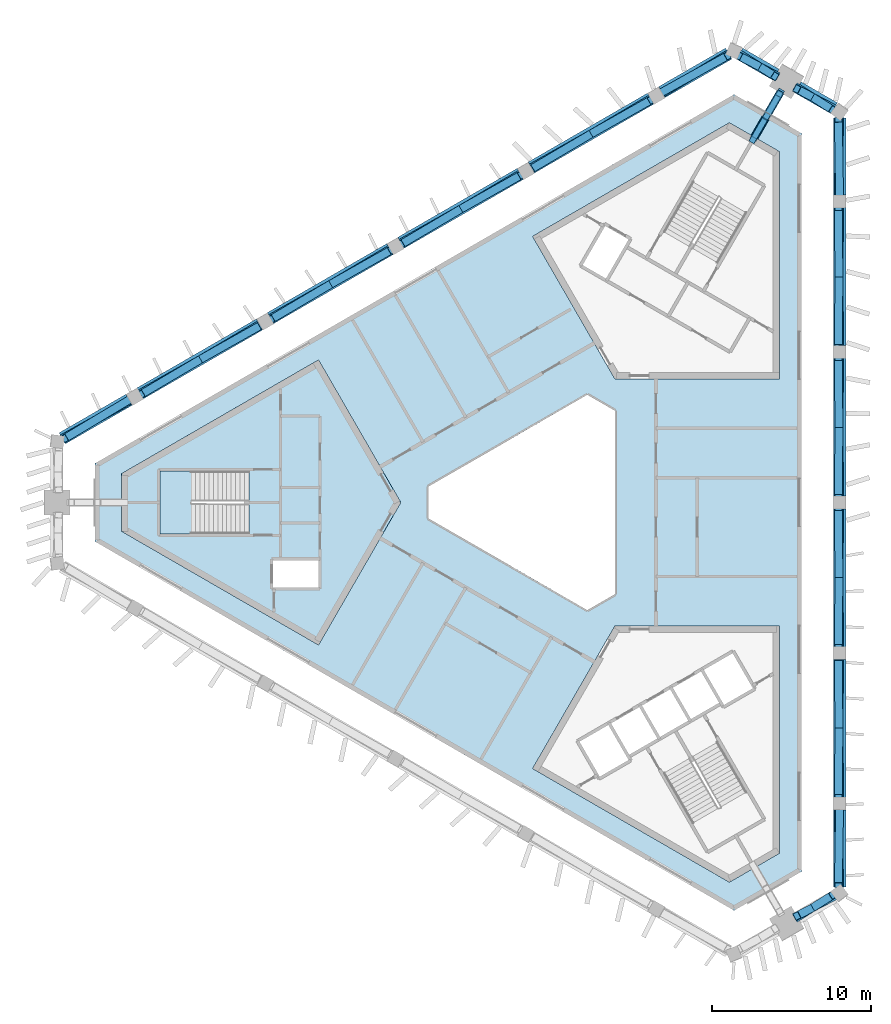
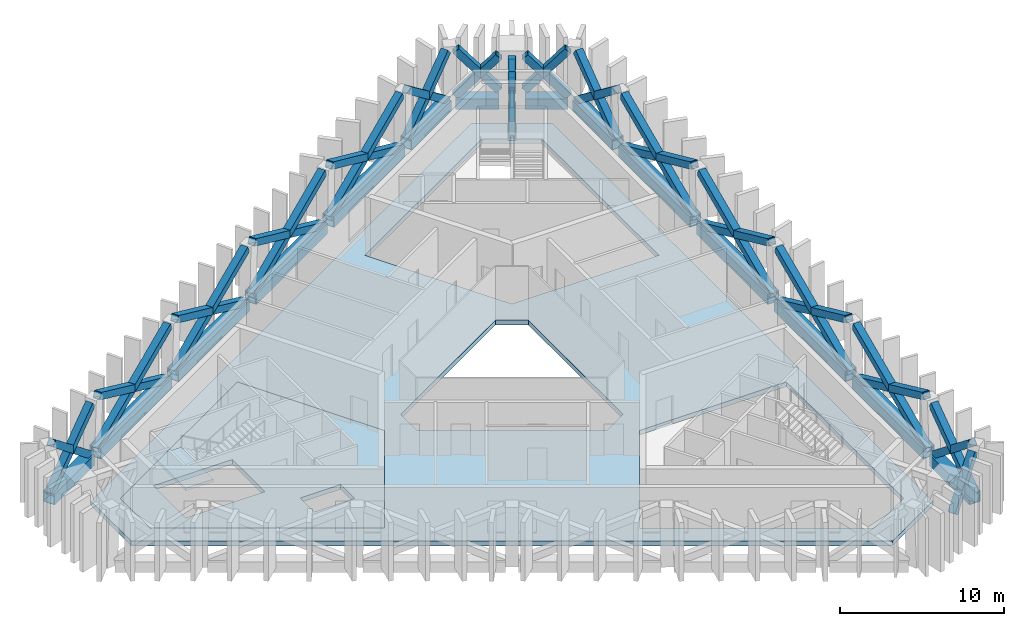
# One storey, part 2 of 8: 52 members, 3 slabs, 1 element without a shape of its own.
"""IFC4 building model written with IfcOpenShell, lengths in metres."""

from ifc_helpers import new_model, si_unit, direction, frame, origin, origin_2d, place, context, subcontext, project, spatial, polyline, hollow_rectangle, outline, extrude, material, layer, layer_set, material_profile, profile_set, type_object, element, aggregate, save


model = new_model("IFC4")

# Units and contexts
model_context = context("Model", 3, precision=1e-05, world=origin(), true_north=direction((0.0, 1.0)))
body_context = subcontext(model_context, "Body", "Model", "MODEL_VIEW")
ifc_project = project(units=[si_unit("LENGTHUNIT", "METRE"), si_unit("AREAUNIT", "SQUARE_METRE"), si_unit("VOLUMEUNIT", "CUBIC_METRE"), si_unit("PLANEANGLEUNIT", "RADIAN"), si_unit("MASSUNIT", "GRAM", prefix="KILO")], contexts=[model_context])

# Site, building, storey
site_placement = place(None, origin())
site = spatial("IfcSite", under=ifc_project, at=site_placement, CompositionType="ELEMENT")
building_placement = place(site_placement, origin())
building = spatial("IfcBuilding", under=site, at=building_placement, Name="Jabali Bay Hotel Tower and Convention Centre", CompositionType="ELEMENT")
storey_placement = place(building_placement, frame((0.0, 0.0, 296.0)))
storey = spatial("IfcBuildingStorey", under=building, at=storey_placement, Name="L73", CompositionType="ELEMENT", Elevation=296.0)

# Members
ifc_material_1 = material(Name="Steel Q420GJC", Category="steel")
ifc_material_profile_1 = material_profile(ifc_material_1, hollow_rectangle(XDim=0.5, YDim=0.5, WallThickness=0.030029296875, at=origin_2d()), Name="Belt brace 500x500x30")
ifc_profile_set_1 = profile_set([ifc_material_profile_1], Name="Steel Q420GJC")
member_type_1 = type_object("IfcMemberType", Name="Belt brace 500x500x30", PredefinedType="BRACE", material=ifc_profile_set_1)
member_1_placement = place(storey_placement, frame((89.641845703125, 106.959228515625, 0.91796875), z_axis=(-0.581816957991, 0.305216451487, 0.753877937823), x_axis=(-0.464550555432, -0.885546600382, 0.0)))
element("IfcMember", 1, at=member_1_placement, inside=storey, type_object=member_type_1, Name="Belt brace T6 M1-V2 x1", PredefinedType="BRACE", context=body_context, shape_type="SweptSolid", body=[
    extrude(hollow_rectangle(XDim=0.5, YDim=0.5, WallThickness=0.030029296875, at=origin_2d()), origin(), (0.0, 0.0, 1.0), 4.009765625),
])
member_2_placement = place(storey_placement, frame((87.35888671875, 108.2958984375, 0.45751953125), z_axis=(0.556390560743, -0.351826280828, 0.752760129148), x_axis=(0.534450860417, 0.8451995491, 0.0)))
element("IfcMember", 2, at=member_2_placement, inside=storey, type_object=member_type_1, Name="Belt brace T6 M1-V2 x2", PredefinedType="BRACE", context=body_context, shape_type="SweptSolid", body=[
    extrude(hollow_rectangle(XDim=0.5, YDim=0.5, WallThickness=0.030029296875, at=origin_2d()), origin(), (0.0, 0.0, 1.0), 4.02197265625),
])
member_3_placement = place(storey_placement, frame((86.677490234375, 108.304443359375, 0.305908203125), z_axis=(-0.681689367342, -0.407737239188, 0.607494814984), x_axis=(0.513313739054, -0.858201028488, 0.0)))
element("IfcMember", 3, at=member_3_placement, inside=storey, type_object=member_type_1, Name="Belt brace T6 V2-F1.1 x1", PredefinedType="BRACE", context=body_context, shape_type="SweptSolid", body=[
    extrude(hollow_rectangle(XDim=0.5, YDim=0.5, WallThickness=0.030029296875, at=origin_2d()), origin(), (0.0, 0.0, 1.0), 6.235595703125),
])
member_4_placement = place(storey_placement, frame((82.4697265625, 105.874755859375, 0.318115234375), z_axis=(0.683960232051, 0.380381708934, 0.622501531308), x_axis=(-0.486037155402, 0.873938146306, 0.0)))
element("IfcMember", 4, at=member_4_placement, inside=storey, type_object=member_type_1, Name="Belt brace T6 V2-F1.1 x2", PredefinedType="BRACE", context=body_context, shape_type="SweptSolid", body=[
    extrude(hollow_rectangle(XDim=0.5, YDim=0.5, WallThickness=0.030029296875, at=origin_2d()), origin(), (0.0, 0.0, 1.0), 6.046142578125),
])
member_5_placement = place(storey_placement, frame((81.775634765625, 105.47705078125, 0.184326171875), z_axis=(-0.782302694928, -0.461419725704, 0.418442744278), x_axis=(0.508035443651, -0.861336164337, 0.0)))
element("IfcMember", 5, at=member_5_placement, inside=storey, type_object=member_type_1, Name="Belt brace T6 F1.1-F1.2 x1", PredefinedType="BRACE", context=body_context, shape_type="SweptSolid", body=[
    extrude(hollow_rectangle(XDim=0.5, YDim=0.5, WallThickness=0.030029296875, at=origin_2d()), origin(), (0.0, 0.0, 1.0), 9.634521484375),
])
member_6_placement = place(storey_placement, frame((74.238525390625, 101.12548828125, 0.18701171875), z_axis=(0.788736553773, 0.445510544801, 0.42357408232), x_axis=(-0.491808693929, 0.87070328389, 0.0)))
element("IfcMember", 6, at=member_6_placement, inside=storey, type_object=member_type_1, Name="Belt brace T6 F1.1-F1.2 x2", PredefinedType="BRACE", context=body_context, shape_type="SweptSolid", body=[
    extrude(hollow_rectangle(XDim=0.5, YDim=0.5, WallThickness=0.030029296875, at=origin_2d()), origin(), (0.0, 0.0, 1.0), 9.504638671875),
])
member_7_placement = place(storey_placement, frame((73.545654296875, 100.7255859375, 0.185302734375), z_axis=(-0.781610594153, -0.461060141076, 0.42012905805), x_axis=(0.508075202316, -0.861312712545, 0.0)))
element("IfcMember", 7, at=member_7_placement, inside=storey, type_object=member_type_1, Name="Belt brace T6 F1.2-F1.3 x1", PredefinedType="BRACE", context=body_context, shape_type="SweptSolid", body=[
    extrude(hollow_rectangle(XDim=0.5, YDim=0.5, WallThickness=0.030029296875, at=origin_2d()), origin(), (0.0, 0.0, 1.0), 9.59130859375),
])
for number, where, z_axis, x_axis, name in (
    (8, (66.00830078125, 96.373779296875, 0.18603515625), (0.789417899762, 0.445938139211, 0.42185134293), (-0.491844433366, 0.870683095832, 0.0), "Belt brace T6 F1.2-F1.3 x2"),
    (9, (65.315673828125, 95.973876953125, 0.18603515625), (-0.780901057459, -0.460690712254, 0.421850217615), (0.508115389897, -0.861289005242, 0.0), "Belt brace T6 F1.3-F1.4 x1"),
):
    element("IfcMember", number, at=place(storey_placement, frame(where, z_axis=z_axis, x_axis=x_axis)), inside=storey, type_object=member_type_1, Name=name, PredefinedType="BRACE", context=body_context, shape_type="SweptSolid", body=[
        extrude(hollow_rectangle(XDim=0.5, YDim=0.5, WallThickness=0.030029296875, at=origin_2d()), origin(), (0.0, 0.0, 1.0), 9.548095703125),
    ])
member_8_placement = place(storey_placement, frame((57.7783203125, 91.622314453125, 0.185302734375), z_axis=(0.790089140846, 0.44637401894, 0.420130199738), x_axis=(-0.491891798651, 0.870656337724, 0.0)))
element("IfcMember", 10, at=member_8_placement, inside=storey, type_object=member_type_1, Name="Belt brace T6 F1.3-F1.4 x2", PredefinedType="BRACE", context=body_context, shape_type="SweptSolid", body=[
    extrude(hollow_rectangle(XDim=0.5, YDim=0.5, WallThickness=0.030029296875, at=origin_2d()), origin(), (0.0, 0.0, 1.0), 9.591064453125),
])
member_9_placement = place(storey_placement, frame((57.085693359375, 91.22216796875, 0.18701171875), z_axis=(-0.780199937753, -0.460301010224, 0.423569400591), x_axis=(0.508134979565, -0.861277448064, 0.0)))
element("IfcMember", 11, at=member_9_placement, inside=storey, type_object=member_type_1, Name="Belt brace T6 F1.4-F1.5 x1", PredefinedType="BRACE", context=body_context, shape_type="SweptSolid", body=[
    extrude(hollow_rectangle(XDim=0.5, YDim=0.5, WallThickness=0.030029296875, at=origin_2d()), origin(), (0.0, 0.0, 1.0), 9.504638671875),
])
member_10_placement = place(storey_placement, frame((49.54833984375, 86.87060546875, 0.184326171875), z_axis=(0.790752664738, 0.446790712833, 0.418435517298), x_axis=(-0.491926706334, 0.870636615124, 0.0)))
element("IfcMember", 12, at=member_10_placement, inside=storey, type_object=member_type_1, Name="Belt brace T6 F1.4-F1.5 x2", PredefinedType="BRACE", context=body_context, shape_type="SweptSolid", body=[
    extrude(hollow_rectangle(XDim=0.5, YDim=0.5, WallThickness=0.030029296875, at=origin_2d()), origin(), (0.0, 0.0, 1.0), 9.634765625),
])
member_11_placement = place(storey_placement, frame((48.85693359375, 86.46826171875, 0.318115234375), z_axis=(-0.671398388347, -0.402144496876, 0.622498198999), x_axis=(0.513843070707, -0.857884198879, 0.0)))
element("IfcMember", 13, at=member_11_placement, inside=storey, type_object=member_type_1, Name="Belt brace T6 F1.5-V3 x1", PredefinedType="BRACE", context=body_context, shape_type="SweptSolid", body=[
    extrude(hollow_rectangle(XDim=0.5, YDim=0.5, WallThickness=0.030029296875, at=origin_2d()), origin(), (0.0, 0.0, 1.0), 6.046142578125),
])
member_12_placement = place(storey_placement, frame((44.64892578125, 84.0390625, 0.305908203125), z_axis=(0.693963297755, 0.386505256724, 0.60747726533), x_axis=(-0.486575880664, 0.87363831896, 0.0)))
element("IfcMember", 14, at=member_12_placement, inside=storey, type_object=member_type_1, Name="Belt brace T6 F1.5-V3 x2", PredefinedType="BRACE", context=body_context, shape_type="SweptSolid", body=[
    extrude(hollow_rectangle(XDim=0.5, YDim=0.5, WallThickness=0.030029296875, at=origin_2d()), origin(), (0.0, 0.0, 1.0), 6.23583984375),
])
member_13_placement = place(storey_placement, frame((91.0263671875, 53.840087890625, 0.91796875), z_axis=(0.555262400019, 0.351239998433, 0.753866122482), x_axis=(-0.534589039241, 0.845112157718, 0.0)))
element("IfcMember", 15, at=member_13_placement, inside=storey, type_object=member_type_1, Name="Belt brace T6 M2-V0 x1", PredefinedType="BRACE", context=body_context, shape_type="SweptSolid", body=[
    extrude(hollow_rectangle(XDim=0.5, YDim=0.5, WallThickness=0.030029296875, at=origin_2d()), origin(), (0.0, 0.0, 1.0), 4.010009765625),
])
member_14_placement = place(storey_placement, frame((93.325439453125, 55.14892578125, 0.45751953125), z_axis=(-0.582866288871, -0.305941063936, 0.752772844021), x_axis=(0.464757993641, -0.885437748996, 0.0)))
element("IfcMember", 16, at=member_14_placement, inside=storey, type_object=member_type_1, Name="Belt brace T6 M2-V0 x2", PredefinedType="BRACE", context=body_context, shape_type="SweptSolid", body=[
    extrude(hollow_rectangle(XDim=0.5, YDim=0.5, WallThickness=0.030029296875, at=origin_2d()), origin(), (0.0, 0.0, 1.0), 4.02197265625),
])
member_15_placement = place(storey_placement, frame((93.673583984375, 55.73486328125, 0.305908203125), z_axis=(-0.012254586773, 0.794238170235, 0.607482966054), x_axis=(-0.999880988672, -0.015427523881, 0.0)))
element("IfcMember", 17, at=member_15_placement, inside=storey, type_object=member_type_1, Name="Belt brace T6 V0-F0.1 x1", PredefinedType="BRACE", context=body_context, shape_type="SweptSolid", body=[
    extrude(hollow_rectangle(XDim=0.5, YDim=0.5, WallThickness=0.030029296875, at=origin_2d()), origin(), (0.0, 0.0, 1.0), 6.235595703125),
])
member_16_placement = place(storey_placement, frame((93.67333984375, 60.593505859375, 0.318115234375), z_axis=(-0.012558542857, -0.78250624914, 0.622516066506), x_axis=(0.999871237621, -0.016047061353, 0.0)))
element("IfcMember", 18, at=member_16_placement, inside=storey, type_object=member_type_1, Name="Belt brace T6 V0-F0.1 x2", PredefinedType="BRACE", context=body_context, shape_type="SweptSolid", body=[
    extrude(hollow_rectangle(XDim=0.5, YDim=0.5, WallThickness=0.030029296875, at=origin_2d()), origin(), (0.0, 0.0, 1.0), 6.0458984375),
])
member_17_placement = place(storey_placement, frame((93.676025390625, 61.3935546875, 0.184326171875), z_axis=(-0.008438178386, 0.908206461054, 0.418437356418), x_axis=(-0.999956841125, -0.009290634416, 0.0)))
element("IfcMember", 19, at=member_17_placement, inside=storey, type_object=member_type_1, Name="Belt brace T6 F0.1-F0.2 x1", PredefinedType="BRACE", context=body_context, shape_type="SweptSolid", body=[
    extrude(hollow_rectangle(XDim=0.5, YDim=0.5, WallThickness=0.030029296875, at=origin_2d()), origin(), (0.0, 0.0, 1.0), 9.634521484375),
])
member_18_placement = place(storey_placement, frame((93.676025390625, 70.0966796875, 0.18701171875), z_axis=(-0.008553713555, -0.905820284642, 0.423575785326), x_axis=(0.999955417309, -0.009442637079, 0.0)))
element("IfcMember", 20, at=member_18_placement, inside=storey, type_object=member_type_1, Name="Belt brace T6 F0.1-F0.2 x2", PredefinedType="BRACE", context=body_context, shape_type="SweptSolid", body=[
    extrude(hollow_rectangle(XDim=0.5, YDim=0.5, WallThickness=0.030029296875, at=origin_2d()), origin(), (0.0, 0.0, 1.0), 9.50439453125),
])
member_19_placement = place(storey_placement, frame((93.676025390625, 70.896728515625, 0.185302734375), z_axis=(-0.008476336813, 0.907426219337, 0.420125943229), x_axis=(-0.999956375009, -0.009340667982, 0.0)))
element("IfcMember", 21, at=member_19_placement, inside=storey, type_object=member_type_1, Name="Belt brace T6 F0.2-F0.3 x1", PredefinedType="BRACE", context=body_context, shape_type="SweptSolid", body=[
    extrude(hollow_rectangle(XDim=0.5, YDim=0.5, WallThickness=0.030029296875, at=origin_2d()), origin(), (0.0, 0.0, 1.0), 9.59130859375),
])
for number, where, z_axis, x_axis, name in (
    (22, (93.676025390625, 79.60009765625, 0.18603515625), (-0.0085147202, -0.906625928359, 0.421849411007), (0.999955901302, -0.009391243341, 0.0), "Belt brace T6 F0.2-F0.3 x2"),
    (23, (93.676025390625, 80.39990234375, 0.18603515625), (-0.0085147202, 0.906625928359, 0.421849411007), (-0.999955901302, -0.009391243341, 0.0), "Belt brace T6 F0.3-F0.4 x1"),
):
    element("IfcMember", number, at=place(storey_placement, frame(where, z_axis=z_axis, x_axis=x_axis)), inside=storey, type_object=member_type_1, Name=name, PredefinedType="BRACE", context=body_context, shape_type="SweptSolid", body=[
        extrude(hollow_rectangle(XDim=0.5, YDim=0.5, WallThickness=0.030029296875, at=origin_2d()), origin(), (0.0, 0.0, 1.0), 9.548095703125),
    ])
member_20_placement = place(storey_placement, frame((93.676025390625, 89.103271484375, 0.185302734375), z_axis=(-0.008476336813, -0.907426219337, 0.420125943229), x_axis=(0.999956375009, -0.009340667982, 0.0)))
element("IfcMember", 24, at=member_20_placement, inside=storey, type_object=member_type_1, Name="Belt brace T6 F0.3-F0.4 x2", PredefinedType="BRACE", context=body_context, shape_type="SweptSolid", body=[
    extrude(hollow_rectangle(XDim=0.5, YDim=0.5, WallThickness=0.030029296875, at=origin_2d()), origin(), (0.0, 0.0, 1.0), 9.59130859375),
])
member_21_placement = place(storey_placement, frame((93.676025390625, 89.9033203125, 0.18701171875), z_axis=(-0.008553713555, 0.905820284642, 0.423575785326), x_axis=(-0.999955417309, -0.009442637079, 0.0)))
element("IfcMember", 25, at=member_21_placement, inside=storey, type_object=member_type_1, Name="Belt brace T6 F0.4-F0.5 x1", PredefinedType="BRACE", context=body_context, shape_type="SweptSolid", body=[
    extrude(hollow_rectangle(XDim=0.5, YDim=0.5, WallThickness=0.030029296875, at=origin_2d()), origin(), (0.0, 0.0, 1.0), 9.50439453125),
])
member_22_placement = place(storey_placement, frame((93.676025390625, 98.6064453125, 0.184326171875), z_axis=(-0.008438178386, -0.908206461054, 0.418437356418), x_axis=(0.999956841125, -0.009290634416, 0.0)))
element("IfcMember", 26, at=member_22_placement, inside=storey, type_object=member_type_1, Name="Belt brace T6 F0.4-F0.5 x2", PredefinedType="BRACE", context=body_context, shape_type="SweptSolid", body=[
    extrude(hollow_rectangle(XDim=0.5, YDim=0.5, WallThickness=0.030029296875, at=origin_2d()), origin(), (0.0, 0.0, 1.0), 9.634521484375),
])
member_23_placement = place(storey_placement, frame((93.67333984375, 99.406494140625, 0.318115234375), z_axis=(-0.012558542857, 0.78250624914, 0.622516066506), x_axis=(-0.999871237621, -0.016047061353, 0.0)))
element("IfcMember", 27, at=member_23_placement, inside=storey, type_object=member_type_1, Name="Belt brace T6 F0.5-V1 x1", PredefinedType="BRACE", context=body_context, shape_type="SweptSolid", body=[
    extrude(hollow_rectangle(XDim=0.5, YDim=0.5, WallThickness=0.030029296875, at=origin_2d()), origin(), (0.0, 0.0, 1.0), 6.0458984375),
])
member_24_placement = place(storey_placement, frame((93.673583984375, 104.26513671875, 0.305908203125), z_axis=(-0.012254586773, -0.794238170235, 0.607482966054), x_axis=(0.999880988672, -0.015427523881, 0.0)))
element("IfcMember", 28, at=member_24_placement, inside=storey, type_object=member_type_1, Name="Belt brace T6 F0.5-V1 x2", PredefinedType="BRACE", context=body_context, shape_type="SweptSolid", body=[
    extrude(hollow_rectangle(XDim=0.5, YDim=0.5, WallThickness=0.030029296875, at=origin_2d()), origin(), (0.0, 0.0, 1.0), 6.235595703125),
])
member_25_placement = place(storey_placement, frame((93.325439453125, 104.85107421875, 0.45751953125), z_axis=(-0.582866288871, 0.305941063936, 0.752772844021), x_axis=(-0.464757993641, -0.885437748996, 0.0)))
element("IfcMember", 29, at=member_25_placement, inside=storey, type_object=member_type_1, Name="Belt brace T6 V1-M1 x1", PredefinedType="BRACE", context=body_context, shape_type="SweptSolid", body=[
    extrude(hollow_rectangle(XDim=0.5, YDim=0.5, WallThickness=0.030029296875, at=origin_2d()), origin(), (0.0, 0.0, 1.0), 4.02197265625),
])
member_26_placement = place(storey_placement, frame((91.0263671875, 106.159912109375, 0.91796875), z_axis=(0.555262400019, -0.351239998433, 0.753866122482), x_axis=(0.534589039241, 0.845112157718, 0.0)))
element("IfcMember", 30, at=member_26_placement, inside=storey, type_object=member_type_1, Name="Belt brace T6 V1-M1 x2", PredefinedType="BRACE", context=body_context, shape_type="SweptSolid", body=[
    extrude(hollow_rectangle(XDim=0.5, YDim=0.5, WallThickness=0.030029296875, at=origin_2d()), origin(), (0.0, 0.0, 1.0), 4.010009765625),
])
ifc_material_profile_2 = material_profile(ifc_material_1, hollow_rectangle(XDim=0.800048828125, YDim=0.800048828125, WallThickness=0.0400390625, at=origin_2d()), Name="Belt chord 800x800x40")
ifc_profile_set_2 = profile_set([ifc_material_profile_2], Name="Steel Q420GJC")
member_type_2 = type_object("IfcMemberType", Name="Belt chord 800x800x40", PredefinedType="CHORD", material=ifc_profile_set_2)
member_27_placement = place(storey_placement, frame((89.657470703125, 106.987548828125, 0.0), z_axis=(-0.866030315638, 0.499991492324, 0.0), x_axis=(-0.499991492324, -0.866030315638, 0.0)))
element("IfcMember", 31, at=member_27_placement, inside=storey, type_object=member_type_2, Name="Belt chord T6 M1-V2", PredefinedType="CHORD", context=body_context, shape_type="SweptSolid", body=[
    extrude(hollow_rectangle(XDim=0.800048828125, YDim=0.800048828125, WallThickness=0.0400390625, at=origin_2d()), origin(), (0.0, 0.0, 1.0), 2.64453125),
])
member_28_placement = place(storey_placement, frame((86.67431640625, 108.309814453125, 0.0), z_axis=(-0.86601739438, -0.500013872438, 0.0), x_axis=(0.500013872438, -0.86601739438, 0.0)))
element("IfcMember", 32, at=member_28_placement, inside=storey, type_object=member_type_2, Name="Belt chord T6 V2-F1.1", PredefinedType="CHORD", context=body_context, shape_type="SweptSolid", body=[
    extrude(hollow_rectangle(XDim=0.800048828125, YDim=0.800048828125, WallThickness=0.0400390625, at=origin_2d()), origin(), (0.0, 0.0, 1.0), 4.858642578125),
])
member_29_placement = place(storey_placement, frame((81.77392578125, 105.48046875, 0.0), z_axis=(-0.866019753935, -0.500009785699, 0.0), x_axis=(0.500009785699, -0.866019753935, 0.0)))
element("IfcMember", 33, at=member_29_placement, inside=storey, type_object=member_type_2, Name="Belt chord T6 F1.1-F1.2", PredefinedType="CHORD", context=body_context, shape_type="SweptSolid", body=[
    extrude(hollow_rectangle(XDim=0.800048828125, YDim=0.800048828125, WallThickness=0.0400390625, at=origin_2d()), origin(), (0.0, 0.0, 1.0), 8.703369140625),
])
member_30_placement = place(storey_placement, frame((73.543701171875, 100.728759765625, 0.0), z_axis=(-0.866024887666, -0.500000893942, 0.0), x_axis=(0.500000893942, -0.866024887666, 0.0)))
element("IfcMember", 34, at=member_30_placement, inside=storey, type_object=member_type_2, Name="Belt chord T6 F1.2-F1.3", PredefinedType="CHORD", context=body_context, shape_type="SweptSolid", body=[
    extrude(hollow_rectangle(XDim=0.800048828125, YDim=0.800048828125, WallThickness=0.0400390625, at=origin_2d()), origin(), (0.0, 0.0, 1.0), 8.703125),
])
for number, where, z_axis, x_axis, name in (
    (35, (65.313720703125, 95.97705078125, 0.0), (-0.866031900465, -0.499988747251, 0.0), (0.499988747251, -0.866031900465, 0.0), "Belt chord T6 F1.3-F1.4"),
    (36, (57.083740234375, 91.2255859375, 0.0), (-0.866019753935, -0.500009785699, 0.0), (0.500009785699, -0.866019753935, 0.0), "Belt chord T6 F1.4-F1.5"),
):
    element("IfcMember", number, at=place(storey_placement, frame(where, z_axis=z_axis, x_axis=x_axis)), inside=storey, type_object=member_type_2, Name=name, PredefinedType="CHORD", context=body_context, shape_type="SweptSolid", body=[
        extrude(hollow_rectangle(XDim=0.800048828125, YDim=0.800048828125, WallThickness=0.0400390625, at=origin_2d()), origin(), (0.0, 0.0, 1.0), 8.703369140625),
    ])
for number, where, z_axis, x_axis, name in (
    (37, (48.853515625, 86.473876953125, 0.0), (-0.86601739438, -0.500013872438, 0.0), (0.500013872438, -0.86601739438, 0.0), "Belt chord T6 F1.5-V3"),
    (38, (93.6796875, 55.73486328125, 0.0), (0.0, 1.0, 0.0), (-1.0, 0.0, 0.0), "Belt chord T6 V0-F0.1"),
):
    element("IfcMember", number, at=place(storey_placement, frame(where, z_axis=z_axis, x_axis=x_axis)), inside=storey, type_object=member_type_2, Name=name, PredefinedType="CHORD", context=body_context, shape_type="SweptSolid", body=[
        extrude(hollow_rectangle(XDim=0.800048828125, YDim=0.800048828125, WallThickness=0.0400390625, at=origin_2d()), origin(), (0.0, 0.0, 1.0), 4.858642578125),
    ])
member_31_placement = place(storey_placement, frame((93.6796875, 61.3935546875, 0.0), z_axis=(0.0, 1.0, 0.0), x_axis=(-1.0, 0.0, 0.0)))
element("IfcMember", 39, at=member_31_placement, inside=storey, type_object=member_type_2, Name="Belt chord T6 F0.1-F0.2", PredefinedType="CHORD", context=body_context, shape_type="SweptSolid", body=[
    extrude(hollow_rectangle(XDim=0.800048828125, YDim=0.800048828125, WallThickness=0.0400390625, at=origin_2d()), origin(), (0.0, 0.0, 1.0), 8.703125),
])
for number, where, z_axis, x_axis, name in (
    (40, (93.6796875, 70.896728515625, 0.0), (0.0, 1.0, 0.0), (-1.0, 0.0, 0.0), "Belt chord T6 F0.2-F0.3"),
    (41, (93.6796875, 80.39990234375, 0.0), (0.0, 1.0, 0.0), (-1.0, 0.0, 0.0), "Belt chord T6 F0.3-F0.4"),
):
    element("IfcMember", number, at=place(storey_placement, frame(where, z_axis=z_axis, x_axis=x_axis)), inside=storey, type_object=member_type_2, Name=name, PredefinedType="CHORD", context=body_context, shape_type="SweptSolid", body=[
        extrude(hollow_rectangle(XDim=0.800048828125, YDim=0.800048828125, WallThickness=0.0400390625, at=origin_2d()), origin(), (0.0, 0.0, 1.0), 8.703369140625),
    ])
member_32_placement = place(storey_placement, frame((93.6796875, 89.9033203125, 0.0), z_axis=(0.0, 1.0, 0.0), x_axis=(-1.0, 0.0, 0.0)))
element("IfcMember", 42, at=member_32_placement, inside=storey, type_object=member_type_2, Name="Belt chord T6 F0.4-F0.5", PredefinedType="CHORD", context=body_context, shape_type="SweptSolid", body=[
    extrude(hollow_rectangle(XDim=0.800048828125, YDim=0.800048828125, WallThickness=0.0400390625, at=origin_2d()), origin(), (0.0, 0.0, 1.0), 8.703125),
])
member_33_placement = place(storey_placement, frame((93.6796875, 99.406494140625, 0.0), z_axis=(0.0, 1.0, 0.0), x_axis=(-1.0, 0.0, 0.0)))
element("IfcMember", 43, at=member_33_placement, inside=storey, type_object=member_type_2, Name="Belt chord T6 F0.5-V1", PredefinedType="CHORD", context=body_context, shape_type="SweptSolid", body=[
    extrude(hollow_rectangle(XDim=0.800048828125, YDim=0.800048828125, WallThickness=0.0400390625, at=origin_2d()), origin(), (0.0, 0.0, 1.0), 4.858642578125),
])
member_34_placement = place(storey_placement, frame((93.333251953125, 104.865234375, 0.0), z_axis=(-0.866007234284, 0.500031469177, 0.0), x_axis=(-0.500031469177, -0.866007234284, 0.0)))
element("IfcMember", 44, at=member_34_placement, inside=storey, type_object=member_type_2, Name="Belt chord T6 V1-M1", PredefinedType="CHORD", context=body_context, shape_type="SweptSolid", body=[
    extrude(hollow_rectangle(XDim=0.800048828125, YDim=0.800048828125, WallThickness=0.0400390625, at=origin_2d()), origin(), (0.0, 0.0, 1.0), 2.644287109375),
])
ifc_material_profile_3 = material_profile(ifc_material_1, hollow_rectangle(XDim=0.39990234375, YDim=0.39990234375, WallThickness=0.011962890625, InnerFilletRadius=0.01806640625, OuterFilletRadius=0.030029296875, at=origin_2d()), Name="Outrigger brace 400x400x12")
ifc_profile_set_3 = profile_set([ifc_material_profile_3], Name="Steel Q420GJC")
member_type_3 = type_object("IfcMemberType", Name="Outrigger brace 400x400x12", PredefinedType="BRACE", material=ifc_profile_set_3)
member_35_placement = place(storey_placement, frame((88.20166015625, 102.86572265625, 0.25), z_axis=(0.216637557809, 0.375249443576, 0.901252474972), x_axis=(-0.866038204628, 0.499977827634, 0.0)))
element("IfcMember", 45, at=member_35_placement, inside=storey, type_object=member_type_3, Name="Outrigger brace T6 2.1x1", PredefinedType="BRACE", context=body_context, shape_type="SweptSolid", body=[
    extrude(hollow_rectangle(XDim=0.39990234375, YDim=0.39990234375, WallThickness=0.011962890625, InnerFilletRadius=0.01806640625, OuterFilletRadius=0.030029296875, at=origin_2d()), origin(), (0.0, 0.0, 1.0), 3.883544921875),
])
member_36_placement = place(storey_placement, frame((89.07373046875, 104.37646484375, 0.25), z_axis=(-0.223001255391, -0.386319084088, 0.895001678972), x_axis=(0.866064397679, -0.49993245451, 0.0)))
element("IfcMember", 46, at=member_36_placement, inside=storey, type_object=member_type_3, Name="Outrigger brace T6 2.1x2", PredefinedType="BRACE", context=body_context, shape_type="SweptSolid", body=[
    extrude(hollow_rectangle(XDim=0.39990234375, YDim=0.39990234375, WallThickness=0.011962890625, InnerFilletRadius=0.01806640625, OuterFilletRadius=0.030029296875, at=origin_2d()), origin(), (0.0, 0.0, 1.0), 3.91064453125),
])
member_37_placement = place(storey_placement, frame((89.07373046875, 104.37646484375, 0.25), z_axis=(0.210140978826, 0.363948984413, 0.907403937485), x_axis=(-0.866010015463, 0.500026652407, 0.0)))
element("IfcMember", 47, at=member_37_placement, inside=storey, type_object=member_type_3, Name="Outrigger brace T6 2.2x1", PredefinedType="BRACE", context=body_context, shape_type="SweptSolid", body=[
    extrude(hollow_rectangle(XDim=0.39990234375, YDim=0.39990234375, WallThickness=0.011962890625, InnerFilletRadius=0.01806640625, OuterFilletRadius=0.030029296875, at=origin_2d()), origin(), (0.0, 0.0, 1.0), 3.857177734375),
])
member_38_placement = place(storey_placement, frame((89.94580078125, 105.886962890625, 0.25), z_axis=(-0.229237559398, -0.397105409818, 0.8886829777), x_axis=(0.866055013668, -0.499948710669, 0.0)))
element("IfcMember", 48, at=member_38_placement, inside=storey, type_object=member_type_3, Name="Outrigger brace T6 2.2x2", PredefinedType="BRACE", context=body_context, shape_type="SweptSolid", body=[
    extrude(hollow_rectangle(XDim=0.39990234375, YDim=0.39990234375, WallThickness=0.011962890625, InnerFilletRadius=0.01806640625, OuterFilletRadius=0.030029296875, at=origin_2d()), origin(), (0.0, 0.0, 1.0), 3.9384765625),
])
ifc_material_profile_4 = material_profile(ifc_material_1, hollow_rectangle(XDim=0.5, YDim=0.5, WallThickness=0.01611328125, InnerFilletRadius=0.02392578125, OuterFilletRadius=0.0400390625, at=origin_2d()), Name="Outrigger chord 500x500x16")
ifc_profile_set_4 = profile_set([ifc_material_profile_4], Name="Steel Q420GJC")
member_type_4 = type_object("IfcMemberType", Name="Outrigger chord 500x500x16", PredefinedType="CHORD", material=ifc_profile_set_4)
member_39_placement = place(storey_placement, frame((88.20166015625, 102.86572265625, 0.25), z_axis=(0.49993245451, 0.866064397679, 0.0), x_axis=(-0.866064397679, 0.49993245451, 0.0)))
element("IfcMember", 49, at=member_39_placement, inside=storey, type_object=member_type_4, Name="Outrigger chord T6 2.lo1", PredefinedType="CHORD", context=body_context, shape_type="SweptSolid", body=[
    extrude(hollow_rectangle(XDim=0.5, YDim=0.5, WallThickness=0.01611328125, InnerFilletRadius=0.02392578125, OuterFilletRadius=0.0400390625, at=origin_2d()), origin(), (0.0, 0.0, 1.0), 1.744384765625),
])
member_40_placement = place(storey_placement, frame((89.07373046875, 104.37646484375, 0.25), z_axis=(0.499993059066, 0.866029411098, 0.0), x_axis=(-0.866029411098, 0.499993059066, 0.0)))
element("IfcMember", 50, at=member_40_placement, inside=storey, type_object=member_type_4, Name="Outrigger chord T6 2.lo2", PredefinedType="CHORD", context=body_context, shape_type="SweptSolid", body=[
    extrude(hollow_rectangle(XDim=0.5, YDim=0.5, WallThickness=0.01611328125, InnerFilletRadius=0.02392578125, OuterFilletRadius=0.0400390625, at=origin_2d()), origin(), (0.0, 0.0, 1.0), 1.744140625),
])
for number, where, z_axis, x_axis, name in (
    (51, (88.20166015625, 102.86572265625, 3.75), (0.499977827634, 0.866038204628, 0.0), (-0.866038204628, 0.499977827634, 0.0), "Outrigger chord T6 2.hi1"),
    (52, (89.04296875, 104.322998046875, 3.75), (0.499977827634, 0.866038204628, 0.0), (-0.866038204628, 0.499977827634, 0.0), "Outrigger chord T6 2.hi2"),
):
    element("IfcMember", number, at=place(storey_placement, frame(where, z_axis=z_axis, x_axis=x_axis)), inside=storey, type_object=member_type_4, Name=name, PredefinedType="CHORD", context=body_context, shape_type="SweptSolid", body=[
        extrude(hollow_rectangle(XDim=0.5, YDim=0.5, WallThickness=0.01611328125, InnerFilletRadius=0.02392578125, OuterFilletRadius=0.0400390625, at=origin_2d()), origin(), (0.0, 0.0, 1.0), 1.6826171875),
    ])

# Slabs
ifc_material_2 = material(Name="Concrete C40", Category="concrete")
ifc_layer_1 = layer(ifc_material_2, 0.35009765625)
ifc_layer_set_1 = layer_set([ifc_layer_1], Name="Concrete C40")
slab_type_1 = type_object("IfcSlabType", Name="Core floor slab 350", PredefinedType="FLOOR", material=ifc_layer_set_1)
slab_1_placement = place(storey_placement, frame((0.0, 0.0, -0.35009765625)))
element("IfcSlab", 53, at=slab_1_placement, inside=storey, type_object=slab_type_1, Name="Core floor slab 1 L73", PredefinedType="FLOOR", context=body_context, shape_type="SweptSolid", body=[
    extrude(outline(polyline([(66.0, 80.0), (60.81005859375, 88.9892578125), (48.39697265625, 81.82275390625), (48.39697265625, 78.17724609375), (60.81005859375, 71.0107421875), (66.0, 80.0)]), holes=[polyline([(60.800048828125, 76.35009765625), (57.949951171875, 76.35009765625), (57.949951171875, 74.64990234375), (60.800048828125, 74.64990234375), (60.800048828125, 76.35009765625)]), polyline([(50.820068359375, 81.97509765625), (50.820068359375, 78.02490234375), (56.409912109375, 78.02490234375), (56.409912109375, 81.97509765625), (50.820068359375, 81.97509765625)])]), origin(), (0.0, 0.0, 1.0), 0.35009765625),
])
ifc_layer_2 = layer(ifc_material_2, 0.35009765625)
ifc_layer_set_2 = layer_set([ifc_layer_2], Name="Concrete C40")
slab_type_2 = type_object("IfcSlabType", Name="Post-tensioned flat slab 350", PredefinedType="FLOOR", material=ifc_layer_set_2)
slab_2_placement = place(storey_placement, frame((0.0, 0.0, -0.35009765625)))
element("IfcSlab", 54, at=slab_2_placement, inside=storey, type_object=slab_type_2, Name="Floor slab L73", PredefinedType="FLOOR", context=body_context, shape_type="SweptSolid", body=[
    extrude(outline(polyline([(87.020751953125, 105.738525390625), (91.27978515625, 103.279541015625), (91.27978515625, 56.720458984375), (87.020751953125, 54.261474609375), (46.699462890625, 77.541015625), (46.699462890625, 82.458984375), (87.020751953125, 105.738525390625)]), holes=[polyline([(67.73193359375, 79.0), (77.76806640625, 73.205810546875), (79.5, 74.205810546875), (79.5, 85.794189453125), (77.76806640625, 86.794189453125), (67.73193359375, 81.0), (67.73193359375, 79.0)]), polyline([(48.39697265625, 78.17724609375), (60.81005859375, 71.0107421875), (66.0, 80.0), (60.81005859375, 88.9892578125), (48.39697265625, 81.82275390625), (48.39697265625, 78.17724609375)]), polyline([(89.8798828125, 102.127685546875), (86.72314453125, 103.9501953125), (74.31005859375, 96.78369140625), (79.5, 87.794189453125), (89.8798828125, 87.794189453125), (89.8798828125, 102.127685546875)]), polyline([(74.31005859375, 63.21630859375), (86.72314453125, 56.0498046875), (89.8798828125, 57.872314453125), (89.8798828125, 72.205810546875), (79.5, 72.205810546875), (74.31005859375, 63.21630859375)])]), origin(), (0.0, 0.0, 1.0), 0.35009765625),
])

# Stair, slab
stair_type = type_object("IfcStairType", Name="Exit stair 1900", PredefinedType="HALF_TURN_STAIR", material=ifc_material_2)
stair_placement = place(storey_placement, origin())
stair = element("IfcStair", 55, at=stair_placement, inside=storey, type_object=stair_type, Name="L73 Exit Stair 1", PredefinedType="HALF_TURN_STAIR")
ifc_layer_3 = layer(ifc_material_2, 0.199951171875)
ifc_layer_set_3 = layer_set([ifc_layer_3], Name="Concrete C40")
slab_type_3 = type_object("IfcSlabType", Name="Stair landing 200", PredefinedType="LANDING", material=ifc_layer_set_3)
slab_3_placement = place(storey_placement, frame((0.0, 0.0, 2.0)))
slab_3 = element("IfcSlab", 56, at=slab_3_placement, type_object=slab_type_3, Name="ST1 landing 1", PredefinedType="LANDING", context=body_context, shape_type="SweptSolid", body=[
    extrude(outline(polyline([(52.782958984375, 81.97509765625), (50.820068359375, 81.97509765625), (50.820068359375, 78.02490234375), (52.782958984375, 78.02490234375), (52.782958984375, 81.97509765625)])), origin(), (0.0, 0.0, 1.0), 0.199951171875),
])
aggregate(stair, [slab_3])

save(model, "model.ifc")
